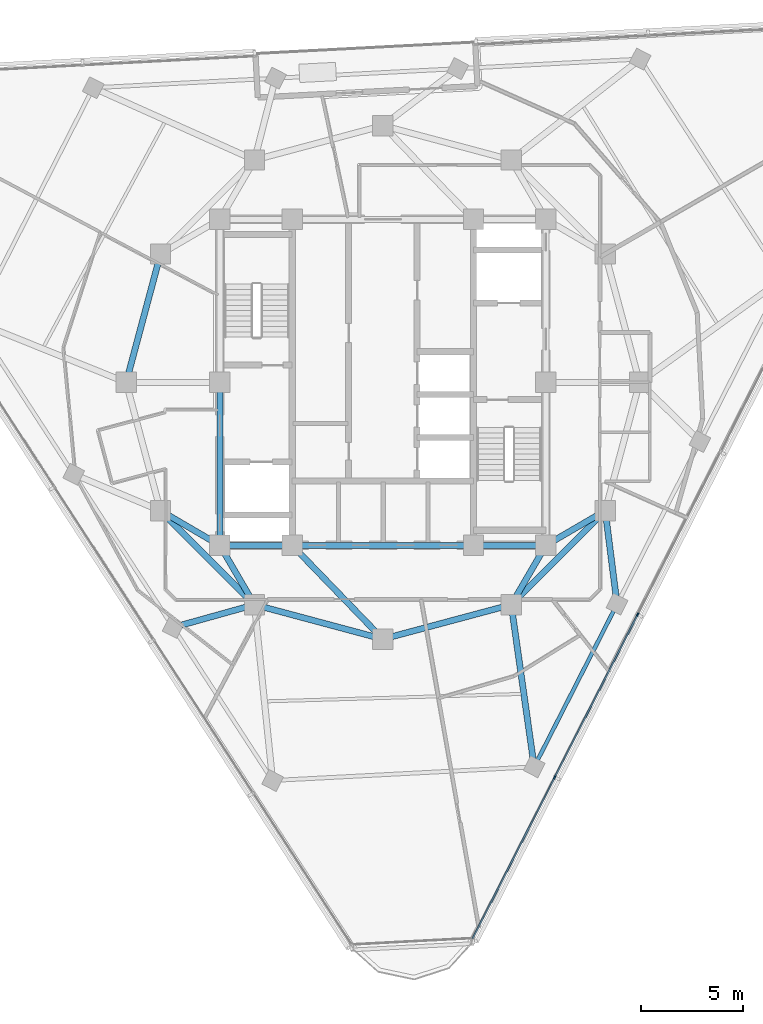
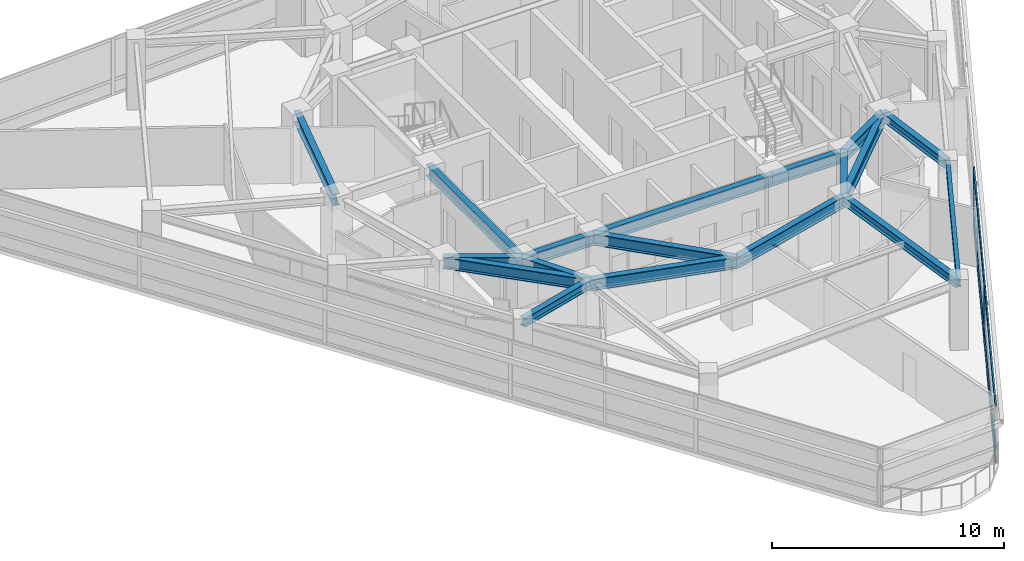
# One storey, part 3 of 15: 18 beams, 8 members, 1 element without a shape of its own.
"""IFC4 building model written with IfcOpenShell, lengths in metres."""

from ifc_helpers import new_model, si_unit, direction, frame, origin, origin_2d, place, context, subcontext, project, spatial, rectangle, i_section, extrude, material, layer, layer_set, material_profile, profile_set, type_object, element, aggregate, save


model = new_model("IFC4")

# Units and contexts
model_context = context("Model", 3, precision=1e-05, world=origin(), true_north=direction((0.0, 1.0)))
body_context = subcontext(model_context, "Body", "Model", "MODEL_VIEW")
ifc_project = project(units=[si_unit("LENGTHUNIT", "METRE"), si_unit("AREAUNIT", "SQUARE_METRE"), si_unit("VOLUMEUNIT", "CUBIC_METRE"), si_unit("PLANEANGLEUNIT", "RADIAN"), si_unit("MASSUNIT", "GRAM", prefix="KILO")], contexts=[model_context])

# Site, building, storey
site_placement = place(None, origin())
site = spatial("IfcSite", under=ifc_project, at=site_placement, CompositionType="ELEMENT")
building_placement = place(site_placement, origin())
building = spatial("IfcBuilding", under=site, at=building_placement, Name="Terralouvre Media Tower", CompositionType="ELEMENT")
storey_placement = place(building_placement, frame((0.0, 0.0, 270.699951171875)))
storey = spatial("IfcBuildingStorey", under=building, at=storey_placement, Name="L70", CompositionType="ELEMENT", Elevation=270.699951171875)

# Curtain wall, members
ifc_material_1 = material(Name="Low-iron laminated double glazing with solar-control coating", Category="glass")
ifc_layer = layer(ifc_material_1, 0.1650390625, Name="Upper Executive Tower Curtain Wall CW-05")
ifc_layer_set = layer_set([ifc_layer], Name="Low-iron laminated double glazing with solar-control coating")
curtain_wall_type = type_object("IfcCurtainWallType", Name="Upper Executive Tower Curtain Wall CW-05", PredefinedType="NOTDEFINED", material=ifc_layer_set)
curtain_wall_placement = place(storey_placement, origin())
curtain_wall = element("IfcCurtainWall", 1, at=curtain_wall_placement, inside=storey, type_object=curtain_wall_type, Name="L70 Facade Curtain Wall F0", PredefinedType="NOTDEFINED")
ifc_material_2 = material(Name="Anodised extruded aluminium 6063-T6", Category="aluminium")
ifc_material_profile_1 = material_profile(ifc_material_2, rectangle(XDim=0.074951171875, YDim=0.14990234375, at=origin_2d()), Name="ALU 75x150")
ifc_profile_set_1 = profile_set([ifc_material_profile_1], Name="Anodised extruded aluminium 6063-T6")
member_type_1 = type_object("IfcMemberType", Name="Curtain-Wall Horizontal Transom TR-150", PredefinedType="USERDEFINED", material=ifc_profile_set_1)
member_1_placement = place(storey_placement, frame((4.3994140625, -27.297607421875, 0.03759765625), z_axis=(0.453977864671, 0.891012961964, 0.0), x_axis=(-0.891012961964, 0.453977864671, 0.0)))
member_1 = element("IfcMember", 2, at=member_1_placement, type_object=member_type_1, Name="CW-05 transom 1.1", ObjectType="TRANSOM", PredefinedType="USERDEFINED", context=body_context, shape_type="SweptSolid", body=[
    extrude(rectangle(XDim=0.074951171875, YDim=0.14990234375, at=origin_2d()), origin(), (0.0, 0.0, 1.0), 8.84765625),
])
member_2_placement = place(storey_placement, frame((4.3994140625, -27.297607421875, 0.800048828125), z_axis=(0.453977864671, 0.891012961964, 0.0), x_axis=(-0.891012961964, 0.453977864671, 0.0)))
member_2 = element("IfcMember", 3, at=member_2_placement, type_object=member_type_1, Name="CW-05 transom 1.2", ObjectType="TRANSOM", PredefinedType="USERDEFINED", context=body_context, shape_type="SweptSolid", body=[
    extrude(rectangle(XDim=0.074951171875, YDim=0.14990234375, at=origin_2d()), origin(), (0.0, 0.0, 1.0), 8.84765625),
])
member_3_placement = place(storey_placement, frame((4.3994140625, -27.297607421875, 2.962646484375), z_axis=(0.453977864671, 0.891012961964, 0.0), x_axis=(-0.891012961964, 0.453977864671, 0.0)))
member_3 = element("IfcMember", 4, at=member_3_placement, type_object=member_type_1, Name="CW-05 transom 1.3", ObjectType="TRANSOM", PredefinedType="USERDEFINED", context=body_context, shape_type="SweptSolid", body=[
    extrude(rectangle(XDim=0.074951171875, YDim=0.14990234375, at=origin_2d()), origin(), (0.0, 0.0, 1.0), 8.84765625),
])
member_4_placement = place(storey_placement, frame((8.449951171875, -19.347412109375, 0.03759765625), z_axis=(0.454015101289, 0.890993988645, 0.0), x_axis=(-0.890993988645, 0.454015101289, 0.0)))
member_4 = element("IfcMember", 5, at=member_4_placement, type_object=member_type_1, Name="CW-05 transom 2.1", ObjectType="TRANSOM", PredefinedType="USERDEFINED", context=body_context, shape_type="SweptSolid", body=[
    extrude(rectangle(XDim=0.074951171875, YDim=0.14990234375, at=origin_2d()), origin(), (0.0, 0.0, 1.0), 8.885009765625),
])
member_5_placement = place(storey_placement, frame((8.449951171875, -19.347412109375, 0.800048828125), z_axis=(0.454015101289, 0.890993988645, 0.0), x_axis=(-0.890993988645, 0.454015101289, 0.0)))
member_5 = element("IfcMember", 6, at=member_5_placement, type_object=member_type_1, Name="CW-05 transom 2.2", ObjectType="TRANSOM", PredefinedType="USERDEFINED", context=body_context, shape_type="SweptSolid", body=[
    extrude(rectangle(XDim=0.074951171875, YDim=0.14990234375, at=origin_2d()), origin(), (0.0, 0.0, 1.0), 8.885009765625),
])
member_6_placement = place(storey_placement, frame((8.449951171875, -19.347412109375, 2.962646484375), z_axis=(0.454015101289, 0.890993988645, 0.0), x_axis=(-0.890993988645, 0.454015101289, 0.0)))
member_6 = element("IfcMember", 7, at=member_6_placement, type_object=member_type_1, Name="CW-05 transom 2.3", ObjectType="TRANSOM", PredefinedType="USERDEFINED", context=body_context, shape_type="SweptSolid", body=[
    extrude(rectangle(XDim=0.074951171875, YDim=0.14990234375, at=origin_2d()), origin(), (0.0, 0.0, 1.0), 8.885009765625),
])
ifc_material_3 = material(Name="Anodised extruded aluminium 6063-T6", Category="aluminium")
ifc_material_profile_2 = material_profile(ifc_material_3, rectangle(XDim=0.074951171875, YDim=0.179931640625, at=origin_2d()), Name="ALU 75x180")
ifc_profile_set_2 = profile_set([ifc_material_profile_2], Name="Anodised extruded aluminium 6063-T6")
member_type_2 = type_object("IfcMemberType", Name="Curtain-Wall Vertical Mullion ML-180", PredefinedType="MULLION", material=ifc_profile_set_2)
member_7_placement = place(storey_placement, frame((8.43310546875, -19.380859375, 0.0), z_axis=(0.0, 0.0, 1.0), x_axis=(-0.891006553308, 0.45399044259, 0.0)))
member_7 = element("IfcMember", 8, at=member_7_placement, type_object=member_type_2, Name="CW-05 mullion 2", PredefinedType="MULLION", context=body_context, shape_type="SweptSolid", body=[
    extrude(rectangle(XDim=0.074951171875, YDim=0.179931640625, at=origin_2d()), origin(), (0.0, 0.0, 1.0), 3.0),
])
member_8_placement = place(storey_placement, frame((12.500732421875, -11.3974609375, 0.0), z_axis=(0.0, 0.0, 1.0), x_axis=(-0.891006553308, 0.45399044259, 0.0)))
member_8 = element("IfcMember", 9, at=member_8_placement, type_object=member_type_2, Name="CW-05 mullion 3", PredefinedType="MULLION", context=body_context, shape_type="SweptSolid", body=[
    extrude(rectangle(XDim=0.074951171875, YDim=0.179931640625, at=origin_2d()), origin(), (0.0, 0.0, 1.0), 3.0),
])
aggregate(curtain_wall, [member_7, member_8, member_1, member_2, member_3, member_4, member_5, member_6])

# Beams
ifc_material_4 = material(Name="Structural steel S355J2", Category="steel")
ifc_material_profile_3 = material_profile(ifc_material_4, i_section(OverallWidth=0.18994140625, OverallDepth=0.449951171875, WebThickness=0.009521484375, FlangeThickness=0.0146484375, at=origin_2d()), Name="IPE 450")
ifc_profile_set_3 = profile_set([ifc_material_profile_3], Name="Structural steel S355J2")
beam_type_1 = type_object("IfcBeamType", Name="Perimeter Spandrel Beam SPB-450 (IPE 450)", PredefinedType="SPANDREL", material=ifc_profile_set_3)
beam_1_placement = place(storey_placement, frame((7.42626953125, -18.867919921875, 3.275146484375), z_axis=(0.453980068772, 0.891011838955, 0.0), x_axis=(-0.891011838955, 0.453980068772, 0.0)))
element("IfcBeam", 10, at=beam_1_placement, inside=storey, type_object=beam_type_1, Name="L70 Framing Beam BM-L70-PR04", PredefinedType="SPANDREL", context=body_context, shape_type="SweptSolid", body=[
    extrude(i_section(OverallWidth=0.18994140625, OverallDepth=0.449951171875, WebThickness=0.009521484375, FlangeThickness=0.0146484375, at=origin_2d()), origin(), (0.0, 0.0, 1.0), 8.9599609375),
])
ifc_material_5 = material(Name="Structural steel S355J2", Category="steel")
ifc_material_profile_4 = material_profile(ifc_material_5, i_section(OverallWidth=0.300048828125, OverallDepth=0.449951171875, WebThickness=0.013916015625, FlangeThickness=0.02587890625, at=origin_2d()), Name="HEB 450")
ifc_profile_set_4 = profile_set([ifc_material_profile_4], Name="Structural steel S355J2")
beam_type_2 = type_object("IfcBeamType", Name="Primary Floor Girder B-HEB450 (HEB 450)", PredefinedType="BEAM", material=ifc_profile_set_4)
beam_2_placement = place(storey_placement, frame((-6.300048828125, -10.911865234375, 3.275146484375), z_axis=(-0.963188145668, -0.268828190571, 0.0), x_axis=(0.268828190571, -0.963188145668, 0.0)))
element("IfcBeam", 11, at=beam_2_placement, inside=storey, type_object=beam_type_2, Name="L70 Framing Beam BM-L70-RD02", PredefinedType="BEAM", context=body_context, shape_type="SweptSolid", body=[
    extrude(i_section(OverallWidth=0.300048828125, OverallDepth=0.449951171875, WebThickness=0.013916015625, FlangeThickness=0.02587890625, at=origin_2d()), origin(), (0.0, 0.0, 1.0), 4.145751953125),
])
beam_3_placement = place(storey_placement, frame((6.300048828125, -10.911865234375, 3.275146484375), z_axis=(0.140157905782, -0.990129164022, 0.0), x_axis=(0.990129164022, 0.140157905782, 0.0)))
element("IfcBeam", 12, at=beam_3_placement, inside=storey, type_object=beam_type_2, Name="L70 Framing Beam BM-L70-RD04", PredefinedType="BEAM", context=body_context, shape_type="SweptSolid", body=[
    extrude(i_section(OverallWidth=0.300048828125, OverallDepth=0.449951171875, WebThickness=0.013916015625, FlangeThickness=0.02587890625, at=origin_2d()), origin(), (0.0, 0.0, 1.0), 8.035400390625),
])
beam_4_placement = place(storey_placement, frame((10.911865234375, -6.300048828125, 3.275146484375), z_axis=(0.125946128673, -0.992037082307, 0.0), x_axis=(0.992037082307, 0.125946128673, 0.0)))
element("IfcBeam", 13, at=beam_4_placement, inside=storey, type_object=beam_type_2, Name="L70 Framing Beam BM-L70-RD05", PredefinedType="BEAM", context=body_context, shape_type="SweptSolid", body=[
    extrude(i_section(OverallWidth=0.300048828125, OverallDepth=0.449951171875, WebThickness=0.013916015625, FlangeThickness=0.02587890625, at=origin_2d()), origin(), (0.0, 0.0, 1.0), 4.621337890625),
])
ifc_material_6 = material(Name="Structural steel S460M", Category="steel")
ifc_material_profile_5 = material_profile(ifc_material_6, i_section(OverallWidth=0.300048828125, OverallDepth=0.60009765625, WebThickness=0.015380859375, FlangeThickness=0.030029296875, at=origin_2d()), Name="HEB 600")
ifc_profile_set_5 = profile_set([ifc_material_profile_5], Name="Structural steel S460M")
beam_type_3 = type_object("IfcBeamType", Name="Primary Floor Girder B-HEB600 (HEB 600)", PredefinedType="BEAM", material=ifc_profile_set_5)
beam_5_placement = place(storey_placement, frame((-8.0, -8.0, 3.199951171875), z_axis=(1.0, 0.0, 0.0), x_axis=(0.0, 1.0, 0.0)))
element("IfcBeam", 14, at=beam_5_placement, inside=storey, type_object=beam_type_3, Name="L70 Framing Beam BM-L70-CPR01", PredefinedType="BEAM", context=body_context, shape_type="SweptSolid", body=[
    extrude(i_section(OverallWidth=0.300048828125, OverallDepth=0.60009765625, WebThickness=0.015380859375, FlangeThickness=0.030029296875, at=origin_2d()), origin(), (0.0, 0.0, 1.0), 3.550048828125),
])
beam_6_placement = place(storey_placement, frame((-4.449951171875, -8.0, 3.199951171875), z_axis=(1.0, 0.0, 0.0), x_axis=(0.0, 1.0, 0.0)))
element("IfcBeam", 15, at=beam_6_placement, inside=storey, type_object=beam_type_3, Name="L70 Framing Beam BM-L70-CPR02", PredefinedType="BEAM", context=body_context, shape_type="SweptSolid", body=[
    extrude(i_section(OverallWidth=0.300048828125, OverallDepth=0.60009765625, WebThickness=0.015380859375, FlangeThickness=0.030029296875, at=origin_2d()), origin(), (0.0, 0.0, 1.0), 8.89990234375),
])
beam_7_placement = place(storey_placement, frame((4.449951171875, -8.0, 3.199951171875), z_axis=(1.0, 0.0, 0.0), x_axis=(0.0, 1.0, 0.0)))
element("IfcBeam", 16, at=beam_7_placement, inside=storey, type_object=beam_type_3, Name="L70 Framing Beam BM-L70-CPR03", PredefinedType="BEAM", context=body_context, shape_type="SweptSolid", body=[
    extrude(i_section(OverallWidth=0.300048828125, OverallDepth=0.60009765625, WebThickness=0.015380859375, FlangeThickness=0.030029296875, at=origin_2d()), origin(), (0.0, 0.0, 1.0), 3.550048828125),
])
beam_8_placement = place(storey_placement, frame((-8.0, 0.0, 3.199951171875), z_axis=(0.0, -1.0, 0.0), x_axis=(1.0, 0.0, 0.0)))
element("IfcBeam", 17, at=beam_8_placement, inside=storey, type_object=beam_type_3, Name="L70 Framing Beam BM-L70-CPR10", PredefinedType="BEAM", context=body_context, shape_type="SweptSolid", body=[
    extrude(i_section(OverallWidth=0.300048828125, OverallDepth=0.60009765625, WebThickness=0.015380859375, FlangeThickness=0.030029296875, at=origin_2d()), origin(), (0.0, 0.0, 1.0), 8.0),
])
beam_9_placement = place(storey_placement, frame((-10.911865234375, -6.300048828125, 3.199951171875), z_axis=(0.707106781187, -0.707106781187, 0.0), x_axis=(0.707106781187, 0.707106781187, 0.0)))
element("IfcBeam", 18, at=beam_9_placement, inside=storey, type_object=beam_type_3, Name="L70 Framing Beam BM-L70-MR01", PredefinedType="BEAM", context=body_context, shape_type="SweptSolid", body=[
    extrude(i_section(OverallWidth=0.300048828125, OverallDepth=0.60009765625, WebThickness=0.015380859375, FlangeThickness=0.030029296875, at=origin_2d()), origin(), (0.0, 0.0, 1.0), 6.52197265625),
])
for number, where, z_axis, x_axis, name in (
    (19, (-6.300048828125, -10.911865234375, 3.199951171875), (0.965920481897, -0.258838989821, 0.0), (0.258838989821, 0.965920481897, 0.0), "L70 Framing Beam BM-L70-MR02"),
    (20, (0.0, -12.60009765625, 3.199951171875), (0.965920481897, 0.258838989821, 0.0), (-0.258838989821, 0.965920481897, 0.0), "L70 Framing Beam BM-L70-MR03"),
):
    element("IfcBeam", number, at=place(storey_placement, frame(where, z_axis=z_axis, x_axis=x_axis)), inside=storey, type_object=beam_type_3, Name=name, PredefinedType="BEAM", context=body_context, shape_type="SweptSolid", body=[
        extrude(i_section(OverallWidth=0.300048828125, OverallDepth=0.60009765625, WebThickness=0.015380859375, FlangeThickness=0.030029296875, at=origin_2d()), origin(), (0.0, 0.0, 1.0), 6.522216796875),
    ])
beam_10_placement = place(storey_placement, frame((6.300048828125, -10.911865234375, 3.199951171875), z_axis=(0.707106781187, 0.707106781187, 0.0), x_axis=(-0.707106781187, 0.707106781187, 0.0)))
element("IfcBeam", 21, at=beam_10_placement, inside=storey, type_object=beam_type_3, Name="L70 Framing Beam BM-L70-MR04", PredefinedType="BEAM", context=body_context, shape_type="SweptSolid", body=[
    extrude(i_section(OverallWidth=0.300048828125, OverallDepth=0.60009765625, WebThickness=0.015380859375, FlangeThickness=0.030029296875, at=origin_2d()), origin(), (0.0, 0.0, 1.0), 6.52197265625),
])
beam_11_placement = place(storey_placement, frame((-10.911865234375, 6.300048828125, 3.199951171875), z_axis=(-0.258838989821, -0.965920481897, 0.0), x_axis=(0.965920481897, -0.258838989821, 0.0)))
element("IfcBeam", 22, at=beam_11_placement, inside=storey, type_object=beam_type_3, Name="L70 Framing Beam BM-L70-MR11", PredefinedType="BEAM", context=body_context, shape_type="SweptSolid", body=[
    extrude(i_section(OverallWidth=0.300048828125, OverallDepth=0.60009765625, WebThickness=0.015380859375, FlangeThickness=0.030029296875, at=origin_2d()), origin(), (0.0, 0.0, 1.0), 6.522216796875),
])
for number, where, z_axis, x_axis, name in (
    (23, (-8.0, -8.0, 3.199951171875), (-0.863602894532, 0.504172629717, 0.0), (-0.504172629717, -0.863602894532, 0.0), "L70 Framing Beam BM-L70-CM01"),
    (24, (-8.0, -8.0, 3.199951171875), (0.504172629717, -0.863602894532, 0.0), (0.863602894532, 0.504172629717, 0.0), "L70 Framing Beam BM-L70-CM02"),
):
    element("IfcBeam", number, at=place(storey_placement, frame(where, z_axis=z_axis, x_axis=x_axis)), inside=storey, type_object=beam_type_3, Name=name, PredefinedType="BEAM", context=body_context, shape_type="SweptSolid", body=[
        extrude(i_section(OverallWidth=0.300048828125, OverallDepth=0.60009765625, WebThickness=0.015380859375, FlangeThickness=0.030029296875, at=origin_2d()), origin(), (0.0, 0.0, 1.0), 3.371826171875),
    ])
beam_12_placement = place(storey_placement, frame((-4.449951171875, -8.0, 3.199951171875), z_axis=(0.695279715726, -0.718739255155, 0.0), x_axis=(0.718739255155, 0.695279715726, 0.0)))
element("IfcBeam", 25, at=beam_12_placement, inside=storey, type_object=beam_type_3, Name="L70 Framing Beam BM-L70-CM03", PredefinedType="BEAM", context=body_context, shape_type="SweptSolid", body=[
    extrude(i_section(OverallWidth=0.300048828125, OverallDepth=0.60009765625, WebThickness=0.015380859375, FlangeThickness=0.030029296875, at=origin_2d()), origin(), (0.0, 0.0, 1.0), 6.400146484375),
])
for number, where, z_axis, x_axis, name in (
    (26, (8.0, -8.0, 3.199951171875), (-0.504172629717, -0.863602894532, 0.0), (0.863602894532, -0.504172629717, 0.0), "L70 Framing Beam BM-L70-CM04"),
    (27, (8.0, -8.0, 3.199951171875), (0.863602894532, 0.504172629717, 0.0), (-0.504172629717, 0.863602894532, 0.0), "L70 Framing Beam BM-L70-CM05"),
):
    element("IfcBeam", number, at=place(storey_placement, frame(where, z_axis=z_axis, x_axis=x_axis)), inside=storey, type_object=beam_type_3, Name=name, PredefinedType="BEAM", context=body_context, shape_type="SweptSolid", body=[
        extrude(i_section(OverallWidth=0.300048828125, OverallDepth=0.60009765625, WebThickness=0.015380859375, FlangeThickness=0.030029296875, at=origin_2d()), origin(), (0.0, 0.0, 1.0), 3.371826171875),
    ])

save(model, "model.ifc")
